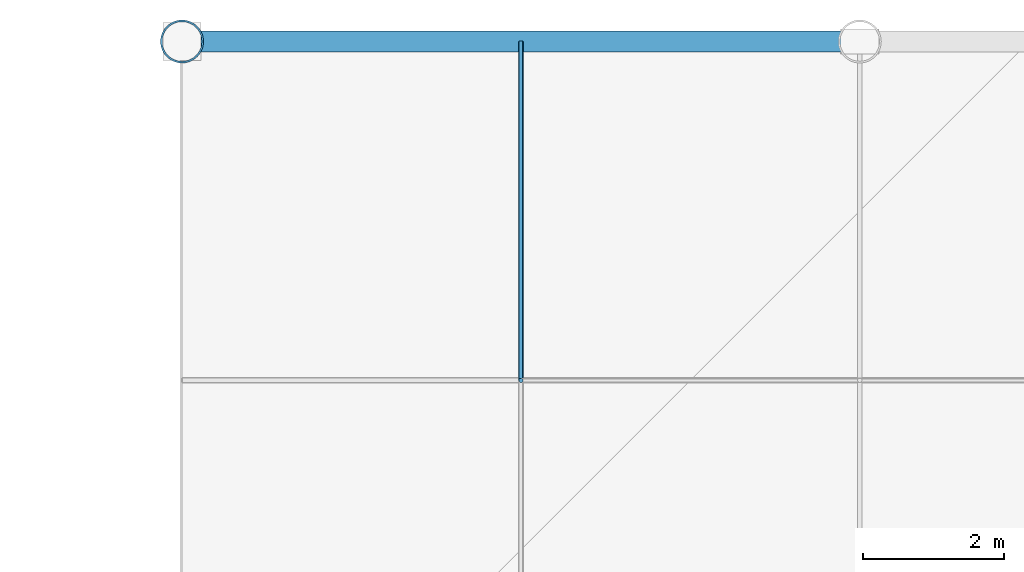
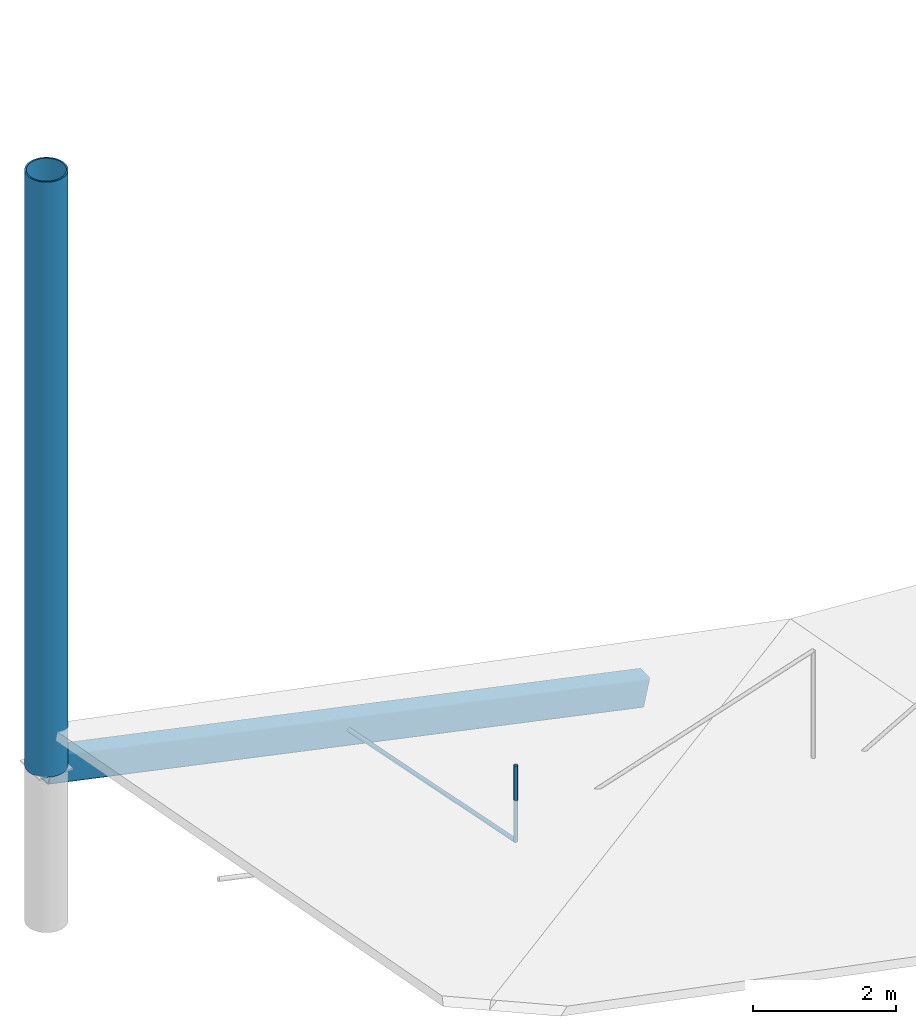
# One storey, part 20 of 40: 3 members, 1 beam.
"""IFC4 building model written with IfcOpenShell, lengths in metres."""

from ifc_helpers import new_model, si_unit, direction, frame, origin, origin_2d, place, context, subcontext, project, spatial, hollow_rectangle, circle, hollow_circle, extrude, material, material_profile, profile_set, type_object, element, save


model = new_model("IFC4")

# Units and contexts
model_context = context("Model", 3, precision=1e-05, world=origin(), true_north=direction((0.0, 1.0)))
body_context = subcontext(model_context, "Body", "Model", "MODEL_VIEW")
ifc_project = project(units=[si_unit("LENGTHUNIT", "METRE"), si_unit("AREAUNIT", "SQUARE_METRE"), si_unit("VOLUMEUNIT", "CUBIC_METRE"), si_unit("PLANEANGLEUNIT", "RADIAN"), si_unit("MASSUNIT", "GRAM", prefix="KILO")], contexts=[model_context])

# Site, building, storey
site_placement = place(None, origin())
site = spatial("IfcSite", under=ifc_project, at=site_placement, CompositionType="ELEMENT")
building_placement = place(site_placement, origin())
building = spatial("IfcBuilding", under=site, at=building_placement, Name="Zevrakil Square Congress Hotel", CompositionType="ELEMENT")
storey_placement = place(building_placement, frame((0.0, 0.0, 18.10009765625)))
storey = spatial("IfcBuildingStorey", under=building, at=storey_placement, Name="L05", CompositionType="ELEMENT", Elevation=18.10009765625)

# Members
ifc_material_1 = material(Name="Steel S355", Category="steel")
ifc_material_profile_1 = material_profile(ifc_material_1, circle(Radius=0.030029296875, at=origin_2d()), Name="CABLE RD60")
ifc_profile_set_1 = profile_set([ifc_material_profile_1], Name="Steel S355")
member_type_1 = type_object("IfcMemberType", Name="MEM-CABLE-RD60", PredefinedType="USERDEFINED", material=ifc_profile_set_1)
member_1_placement = place(storey_placement, frame((122.39990234375, 108.0, 2.577880859375), z_axis=(0.0, 0.0, 1.0), x_axis=(1.0, 0.0, 0.0)))
element("IfcMember", 1, at=member_1_placement, inside=storey, type_object=member_type_1, Name="Congress cable-truss vertical tie CBW-09-1", ObjectType="ROOF CABLE", PredefinedType="USERDEFINED", context=body_context, shape_type="SweptSolid", body=[
    extrude(circle(Radius=0.030029296875, at=origin_2d()), origin(), (0.0, 0.0, 1.0), 1.2978515625),
])
ifc_material_2 = material(Name="Steel S355", Category="steel")
ifc_material_profile_2 = material_profile(ifc_material_2, circle(Radius=0.033935546875, at=origin_2d()), Name="CABLE RD68")
ifc_profile_set_2 = profile_set([ifc_material_profile_2], Name="Steel S355")
member_type_2 = type_object("IfcMemberType", Name="MEM-CABLE-RD68", PredefinedType="USERDEFINED", material=ifc_profile_set_2)
member_2_placement = place(storey_placement, frame((122.39990234375, 108.0, 2.587890625), z_axis=(0.0, 0.980505798462, -0.196490150345), x_axis=(-1.0, 0.0, 0.0)))
element("IfcMember", 2, at=member_2_placement, inside=storey, type_object=member_type_2, Name="Congress saddle stabilizing cable CBH-01 seg 10", ObjectType="ROOF CABLE", PredefinedType="USERDEFINED", context=body_context, shape_type="SweptSolid", body=[
    extrude(circle(Radius=0.033935546875, at=origin_2d()), origin(), (0.0, 0.0, 1.0), 4.8955078125),
])
ifc_material_3 = material(Name="Steel S355", Category="steel")
ifc_material_profile_3 = material_profile(ifc_material_3, hollow_circle(Radius=0.304931640625, WallThickness=0.02490234375, at=origin_2d()), Name="CHS 610x25")
ifc_profile_set_3 = profile_set([ifc_material_profile_3], Name="Steel S355")
member_type_3 = type_object("IfcMemberType", Name="MEM-MAST-CHS610", PredefinedType="CHORD", material=ifc_profile_set_3)
member_3_placement = place(storey_placement, frame((117.60009765625, 112.800048828125, 2.64990234375), z_axis=(0.0, 0.0, 1.0), x_axis=(1.0, 0.0, 0.0)))
element("IfcMember", 3, at=member_3_placement, inside=storey, type_object=member_type_3, Name="Congress Hall stayed corner mast MS-04", PredefinedType="CHORD", context=body_context, shape_type="SweptSolid", body=[
    extrude(hollow_circle(Radius=0.304931640625, WallThickness=0.02490234375, at=origin_2d()), origin(), (0.0, 0.0, 1.0), 10.14990234375),
])

# Beam
ifc_material_4 = material(Name="Steel S355", Category="steel")
ifc_material_profile_4 = material_profile(ifc_material_4, hollow_rectangle(XDim=0.300048828125, YDim=0.5, WallThickness=0.02001953125, InnerFilletRadius=0.02001953125, OuterFilletRadius=0.0400390625, at=origin_2d()), Name="RHS 500x300x20")
ifc_profile_set_4 = profile_set([ifc_material_profile_4], Name="Steel S355")
beam_type = type_object("IfcBeamType", Name="RNG-RHS500", PredefinedType="USERDEFINED", material=ifc_profile_set_4)
beam_placement = place(storey_placement, frame((127.199951171875, 112.800048828125, 0.601806640625), z_axis=(-0.977990197322, 0.0, 0.208650842179), x_axis=(0.0, -1.0, 0.0)))
element("IfcBeam", 4, at=beam_placement, inside=storey, type_object=beam_type, Name="Congress Hall compression ring beam RB-15", ObjectType="RING BEAM", PredefinedType="USERDEFINED", context=body_context, shape_type="SweptSolid", body=[
    extrude(hollow_rectangle(XDim=0.300048828125, YDim=0.5, WallThickness=0.02001953125, InnerFilletRadius=0.02001953125, OuterFilletRadius=0.0400390625, at=origin_2d()), origin(), (0.0, 0.0, 1.0), 9.81591796875),
])

save(model, "model.ifc")
